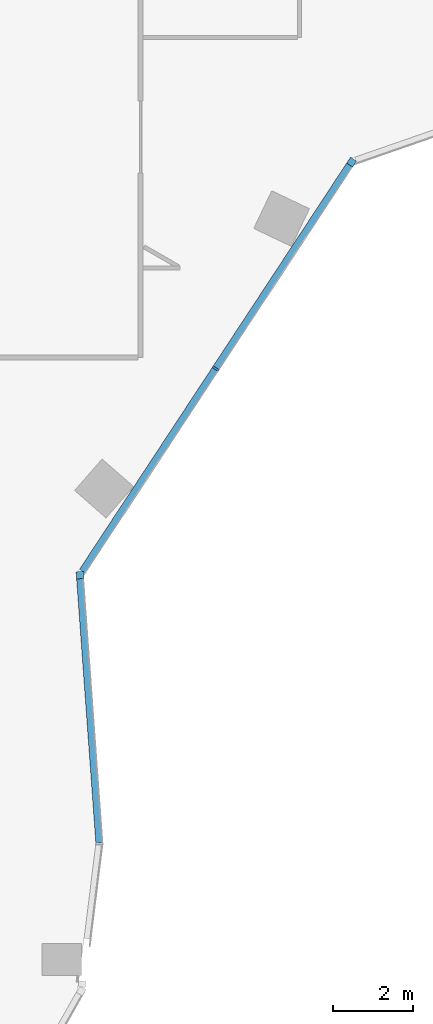
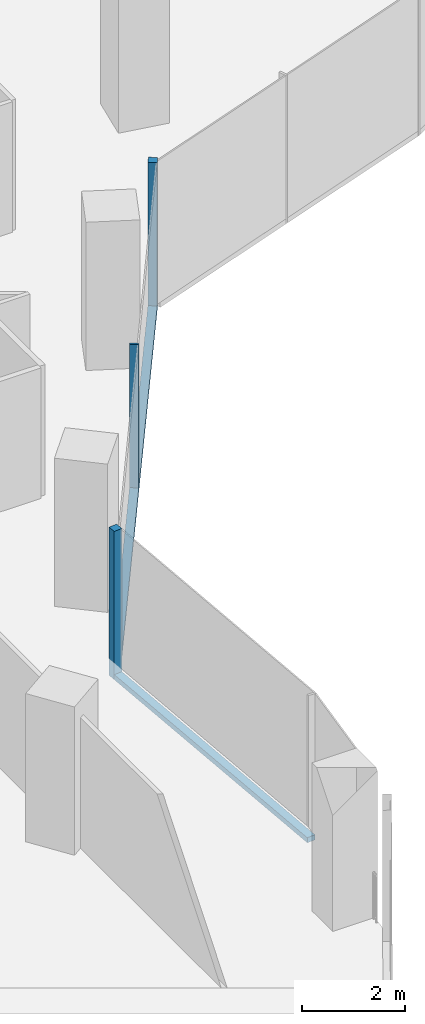
# One storey, part 5 of 24: 5 members, 2 elements without a shape of their own.
"""IFC4 building model written with IfcOpenShell, lengths in metres."""

import ifcopenshell
import ifcopenshell.guid

model = None  # the IFC model being written
_history = None  # IfcOwnerHistory: only IFC2X3 demands one
_inside = {}  # id of a spatial element -> (the spatial element, [elements in it])
_under = {}  # id of a project, library or spatial element -> (it, [spatial elements below it])
_declared = {}  # id of a project -> (the project, [libraries it declares])
_typed = {}  # id of a type object -> (the type object, [elements of that type])
_made_of = {}  # id of a material, layer set ... -> (it, [elements and type objects made of it])


def new_model(schema):
    """Start an empty IFC model of exactly this schema.

    Asked for "IFC4X3", IfcOpenShell would pick the latest addendum, in which some entities
    have other attributes; the version numbers below select the first issue.
    IFC2X3 requires an IfcOwnerHistory on every rooted entity: one is made here for all.
    """
    global model, _history
    if schema == "IFC4X3":
        model = ifcopenshell.file(schema_version=(4, 3, 0, 0))
    else:
        model = ifcopenshell.file(schema=schema)
    _inside.clear()
    _under.clear()
    _declared.clear()
    _typed.clear()
    _made_of.clear()
    _history = None
    if model.schema == "IFC2X3":
        org = make("IfcOrganization", Name="unknown")
        user = make(
            "IfcPersonAndOrganization",
            ThePerson=make("IfcPerson", FamilyName="unknown"),
            TheOrganization=org,
        )
        app = make(
            "IfcApplication",
            ApplicationDeveloper=org,
            Version="unknown",
            ApplicationFullName="unknown",
            ApplicationIdentifier="unknown",
        )
        _history = make(
            "IfcOwnerHistory",
            OwningUser=user,
            OwningApplication=app,
            ChangeAction="ADDED",
            CreationDate=0,
        )
    return model


def make(cls, **values):
    """One entity of the class cls with the attributes given. An attribute that is None is left unset."""
    return model.create_entity(
        cls, **{name: value for name, value in values.items() if value is not None}
    )


def rooted(cls, **values):
    """An entity with a GlobalId (a new one), such as an element, a storey or a relation."""
    return make(cls, GlobalId=ifcopenshell.guid.new(), OwnerHistory=_history, **values)


def si_unit(unit_type, name, prefix=None):
    """IfcSIUnit, for example si_unit("LENGTHUNIT", "METRE", prefix="MILLI")."""
    return make("IfcSIUnit", UnitType=unit_type, Prefix=prefix, Name=name)


def assignment(units):
    """IfcUnitAssignment: the units of a project."""
    return None if units is None else make("IfcUnitAssignment", Units=units)


def point(xyz):
    """IfcCartesianPoint."""
    return None if xyz is None else make("IfcCartesianPoint", Coordinates=xyz)


def direction(xyz):
    """IfcDirection."""
    return None if xyz is None else make("IfcDirection", DirectionRatios=xyz)


def frame(location, z_axis=None, x_axis=None):
    """IfcAxis2Placement3D, a coordinate frame: its origin and axes. An axis left out is left unset."""
    return make(
        "IfcAxis2Placement3D",
        Location=point(location),
        Axis=direction(z_axis),
        RefDirection=direction(x_axis),
    )


def frame_2d(location, x_axis=None):
    """IfcAxis2Placement2D, a coordinate frame in the plane: its origin and x axis."""
    return make(
        "IfcAxis2Placement2D", Location=point(location), RefDirection=direction(x_axis)
    )


def origin():
    """The frame at (0, 0, 0) with its axes left unset."""
    return frame((0.0, 0.0, 0.0))


def origin_2d():
    """The frame at (0, 0) in the plane with its x axis left unset."""
    return frame_2d((0.0, 0.0))


def place(relative_to, where):
    """IfcLocalPlacement: puts the frame where relative to a parent placement (None: the world)."""
    return make(
        "IfcLocalPlacement", PlacementRelTo=relative_to, RelativePlacement=where
    )


def context(
    kind, dimensions, precision=None, world=None, true_north=None, identifier=None
):
    """IfcGeometricRepresentationContext, for example the 3D "Model" context."""
    return make(
        "IfcGeometricRepresentationContext",
        ContextIdentifier=identifier,
        ContextType=kind,
        CoordinateSpaceDimension=dimensions,
        Precision=precision,
        WorldCoordinateSystem=world,
        TrueNorth=true_north,
    )


def subcontext(parent, identifier, kind, view, scale=None):
    """IfcGeometricRepresentationSubContext, for example "Body" below "Model"."""
    return make(
        "IfcGeometricRepresentationSubContext",
        ContextIdentifier=identifier,
        ContextType=kind,
        ParentContext=parent,
        TargetScale=scale,
        TargetView=view,
    )


def project(units=None, contexts=None):
    """IfcProject with its units and contexts."""
    return rooted(
        "IfcProject",
        Name="project",
        RepresentationContexts=contexts,
        UnitsInContext=assignment(units),
    )


def spatial(cls, under=None, at=None, **own):
    """A site, building, storey or space (cls), placed at a placement, below another one or the project."""
    s = rooted(cls, ObjectPlacement=at, **own)
    if under is not None:
        _under.setdefault(under.id(), (under, []))[1].append(s)
    return s


def profile(cls, at=None, kind="AREA", **sizes):
    """A parametric profile (cls). Its sizes go by their IFC names, for example OverallWidth=200.0."""
    return make(cls, ProfileType=kind, Position=at, **sizes)


def rectangle(**sizes):
    """IfcRectangleProfileDef."""
    return profile("IfcRectangleProfileDef", **sizes)


def extrude(swept, where, along, depth):
    """IfcExtrudedAreaSolid: the profile swept, set in the frame where, extruded along a direction by depth."""
    return make(
        "IfcExtrudedAreaSolid",
        SweptArea=swept,
        Position=where,
        ExtrudedDirection=direction(along),
        Depth=depth,
    )


def shape(context_of_items, identifier, shape_type, items):
    """IfcShapeRepresentation: the items that make up one representation, for example the "Body"."""
    return make(
        "IfcShapeRepresentation",
        ContextOfItems=context_of_items,
        RepresentationIdentifier=identifier,
        RepresentationType=shape_type,
        Items=items,
    )


def material(Name=None, Category=None):
    """IfcMaterial."""
    return make("IfcMaterial", Name=Name, Category=Category)


def material_profile(
    of_material, cross_section, Name=None, Category=None, Priority=None
):
    """IfcMaterialProfile: a cross section and its material."""
    return make(
        "IfcMaterialProfile",
        Name=Name,
        Material=of_material,
        Profile=cross_section,
        Priority=Priority,
        Category=Category,
    )


def profile_set(profiles, Name=None, composite=None):
    """IfcMaterialProfileSet."""
    return make(
        "IfcMaterialProfileSet",
        Name=Name,
        MaterialProfiles=profiles,
        CompositeProfile=composite,
    )


def made_of(thing, what):
    """Note that an element or type object is made of a material, layer set ...; save() writes the relation."""
    if what is not None:
        _made_of.setdefault(what.id(), (what, []))[1].append(thing)
    return thing


def type_object(cls, material=None, **own):
    """A type object (cls), such as IfcWallType, which elements share."""
    return made_of(rooted(cls, **own), material)


def element(
    cls,
    number,
    at=None,
    inside=None,
    cuts=None,
    type_object=None,
    material=None,
    context=None,
    identifier="Body",
    shape_type=None,
    held_by="IfcProductDefinitionShape",
    body=None,
    shapes=None,
    **own,
):
    """One element of the class cls, such as IfcWall. Its Tag is "e" and its number.

    at: its placement. inside: the storey or other place that contains it. cuts: it is an
    opening in that element (IfcRelVoidsElement). A single representation is given by context,
    identifier, shape_type and body (its items); several are given by shapes. held_by: the class
    of the entity that holds the representations. save() writes the other relations.
    """
    e = rooted(cls, Tag="e%d" % number, ObjectPlacement=at, **own)
    if body is not None:
        shapes = [shape(context, identifier, shape_type, body)]
    if shapes is not None:
        e.Representation = make(held_by, Representations=shapes)
    if inside is not None:
        _inside.setdefault(inside.id(), (inside, []))[1].append(e)
    if cuts is not None:
        rooted(
            "IfcRelVoidsElement", RelatingBuildingElement=cuts, RelatedOpeningElement=e
        )
    if type_object is not None:
        _typed.setdefault(type_object.id(), (type_object, []))[1].append(e)
    return made_of(e, material)


def aggregate(whole, parts):
    """IfcRelAggregates: a whole, such as a stair, and the parts it consists of."""
    return rooted("IfcRelAggregates", RelatingObject=whole, RelatedObjects=parts)


def save(model, path):
    """Write the relations noted so far, then the file.

    IfcRelAggregates (storeys below a building ...), IfcRelContainedInSpatialStructure (elements
    in a storey), IfcRelDefinesByType, IfcRelAssociatesMaterial and IfcRelDeclares: one each for
    every whole, place, type object, material and project.
    """
    for whole, parts in _under.values():
        aggregate(whole, parts)
    for where, things in _inside.values():
        rooted(
            "IfcRelContainedInSpatialStructure",
            RelatedElements=things,
            RelatingStructure=where,
        )
    for kind, things in _typed.values():
        rooted("IfcRelDefinesByType", RelatedObjects=things, RelatingType=kind)
    for what, things in _made_of.values():
        rooted("IfcRelAssociatesMaterial", RelatedObjects=things, RelatingMaterial=what)
    for by, libraries in _declared.values():
        rooted("IfcRelDeclares", RelatingContext=by, RelatedDefinitions=libraries)
    model.write(path)


model = new_model("IFC4")

# Units and contexts
model_context = context("Model", 3, precision=1e-05, world=origin(), true_north=direction((0.0, 1.0)))
body_context = subcontext(model_context, "Body", "Model", "MODEL_VIEW")
ifc_project = project(units=[si_unit("LENGTHUNIT", "METRE"), si_unit("AREAUNIT", "SQUARE_METRE"), si_unit("VOLUMEUNIT", "CUBIC_METRE"), si_unit("PLANEANGLEUNIT", "RADIAN"), si_unit("MASSUNIT", "GRAM", prefix="KILO")], contexts=[model_context])

# Site, building, storey
site_placement = place(None, origin())
site = spatial("IfcSite", under=ifc_project, at=site_placement, CompositionType="ELEMENT")
building_placement = place(site_placement, origin())
building = spatial("IfcBuilding", under=site, at=building_placement, Name="Orlundy Tower", CompositionType="ELEMENT")
storey_placement = place(building_placement, frame((0.0, 0.0, 235.5)))
storey = spatial("IfcBuildingStorey", under=building, at=storey_placement, Name="L62", CompositionType="ELEMENT", Elevation=235.5)

# Curtain wall, member
ifc_material_1 = material(Name="Aluminium bronze anodised", Category="aluminium")
curtain_wall_type = type_object("IfcCurtainWallType", Name="CW1 wall", PredefinedType="NOTDEFINED", material=ifc_material_1)
curtain_wall_1_placement = place(storey_placement, origin())
curtain_wall_1 = element("IfcCurtainWall", 1, at=curtain_wall_1_placement, inside=storey, type_object=curtain_wall_type, Name="CW1 run 01", PredefinedType="NOTDEFINED")
ifc_material_2 = material(Name="Aluminium bronze anodised", Category="aluminium")
ifc_material_profile_1 = material_profile(ifc_material_2, rectangle(XDim=0.179931640625, YDim=0.179931640625, at=origin_2d()), Name="CW1 corner post 180x180")
ifc_profile_set_1 = profile_set([ifc_material_profile_1], Name="Aluminium bronze anodised")
member_type_1 = type_object("IfcMemberType", Name="CW1 corner post 180x180", PredefinedType="MULLION", material=ifc_profile_set_1)
member_1_placement = place(storey_placement, frame((28.553466796875, -11.343994140625, -0.39990234375), z_axis=(0.0, 0.0, 1.0), x_axis=(0.835496427827, -0.549495877226, 0.0)))
member_1 = element("IfcMember", 2, at=member_1_placement, type_object=member_type_1, Name="CW1 mullion 3", PredefinedType="MULLION", context=body_context, shape_type="SweptSolid", body=[
    extrude(rectangle(XDim=0.179931640625, YDim=0.179931640625, at=origin_2d()), origin(), (0.0, 0.0, 1.0), 3.5),
])

curtain_wall_2_placement = place(storey_placement, origin())
curtain_wall_2 = element("IfcCurtainWall", 3, at=curtain_wall_2_placement, inside=storey, type_object=curtain_wall_type, Name="CW1 run 02", PredefinedType="NOTDEFINED")
member_2_placement = place(storey_placement, frame((21.72607421875, -21.724853515625, -0.39990234375), z_axis=(0.0, 0.0, 1.0), x_axis=(0.997356697467, 0.072660980026, 0.0)))
member_2 = element("IfcMember", 4, at=member_2_placement, type_object=member_type_1, Name="CW1 mullion 5", PredefinedType="MULLION", context=body_context, shape_type="SweptSolid", body=[
    extrude(rectangle(XDim=0.179931640625, YDim=0.179931640625, at=origin_2d()), origin(), (0.0, 0.0, 1.0), 3.5),
])

# Member
ifc_material_3 = material(Name="Aluminium bronze anodised", Category="aluminium")
ifc_material_profile_2 = material_profile(ifc_material_3, rectangle(XDim=0.179931640625, YDim=0.050048828125, at=origin_2d()), Name="CW1 mullion 50x180")
ifc_profile_set_2 = profile_set([ifc_material_profile_2], Name="Aluminium bronze anodised")
member_type_2 = type_object("IfcMemberType", Name="CW1 mullion 50x180", PredefinedType="MULLION", material=ifc_profile_set_2)
member_3_placement = place(storey_placement, frame((25.1396484375, -16.534423828125, -0.39990234375), z_axis=(0.0, 0.0, 1.0), x_axis=(0.835496427827, -0.549495877226, 0.0)))
member_3 = element("IfcMember", 5, at=member_3_placement, type_object=member_type_2, Name="CW1 mullion 4", PredefinedType="MULLION", context=body_context, shape_type="SweptSolid", body=[
    extrude(rectangle(XDim=0.179931640625, YDim=0.050048828125, at=origin_2d()), origin(), (0.0, 0.0, 1.0), 3.5),
])

ifc_material_4 = material(Name="Aluminium bronze anodised", Category="aluminium")
ifc_material_profile_3 = material_profile(ifc_material_4, rectangle(XDim=0.179931640625, YDim=0.1201171875, at=origin_2d()), Name="CW1 transom 180x120")
ifc_profile_set_3 = profile_set([ifc_material_profile_3], Name="Aluminium bronze anodised")
member_type_3 = type_object("IfcMemberType", Name="CW1 transom 180x120", PredefinedType="USERDEFINED", material=ifc_profile_set_3)
member_4_placement = place(storey_placement, frame((28.50390625, -11.419189453125, -0.340087890625), z_axis=(-0.549493952351, -0.835497693791, 0.0), x_axis=(0.835497693791, -0.549493952351, 0.0)))
member_4 = element("IfcMember", 6, at=member_4_placement, type_object=member_type_3, Name="CW1 transom", ObjectType="TRANSOM", PredefinedType="USERDEFINED", context=body_context, shape_type="SweptSolid", body=[
    extrude(rectangle(XDim=0.179931640625, YDim=0.1201171875, at=origin_2d()), origin(), (0.0, 0.0, 1.0), 12.221435546875),
])

aggregate(curtain_wall_1, [member_1, member_3, member_4])

member_5_placement = place(storey_placement, frame((21.732421875, -21.814697265625, -0.340087890625), z_axis=(0.072674507667, -0.997355711838, 0.0), x_axis=(0.997355711838, 0.072674507667, 0.0)))
member_5 = element("IfcMember", 7, at=member_5_placement, type_object=member_type_3, Name="CW1 transom", ObjectType="TRANSOM", PredefinedType="USERDEFINED", context=body_context, shape_type="SweptSolid", body=[
    extrude(rectangle(XDim=0.179931640625, YDim=0.1201171875, at=origin_2d()), origin(), (0.0, 0.0, 1.0), 6.648193359375),
])

aggregate(curtain_wall_2, [member_2, member_5])

save(model, "model.ifc")
